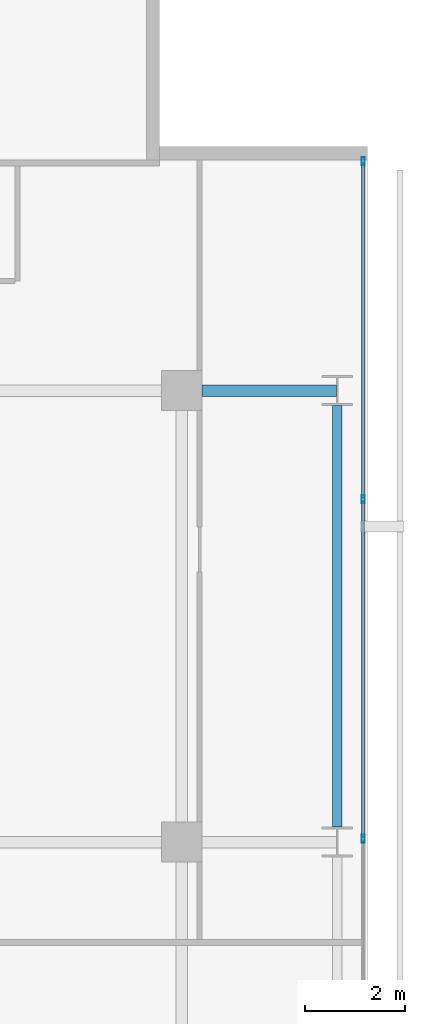
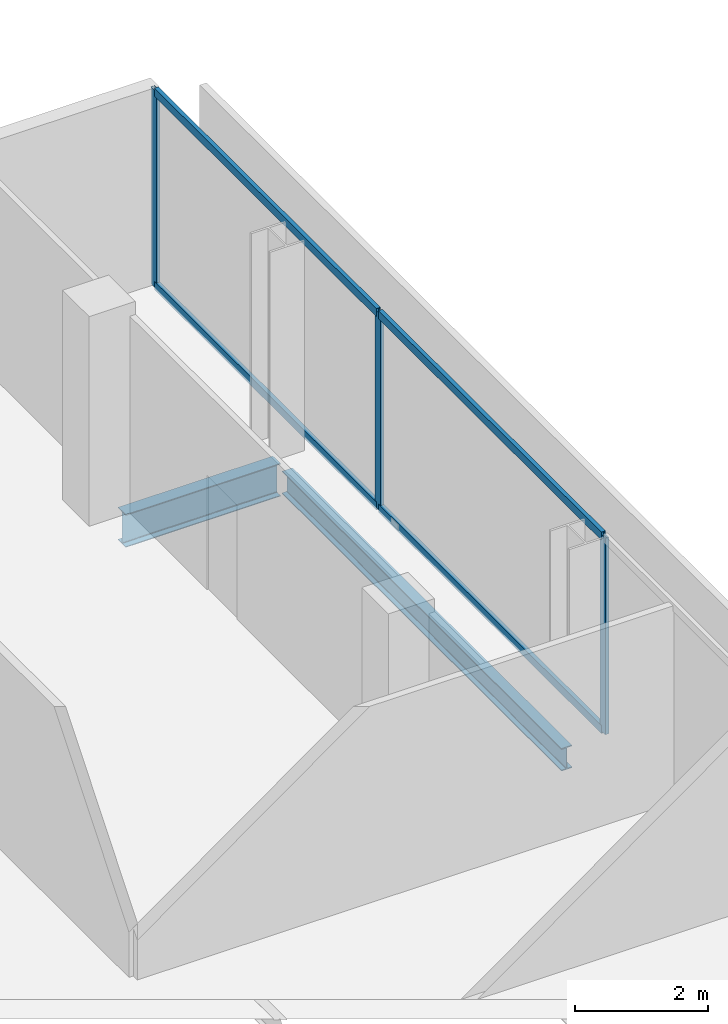
# One storey, part 24 of 32: 7 members, 2 beams, 1 element without a shape of its own.
"""IFC4 building model written with IfcOpenShell, lengths in metres."""

from ifc_helpers import new_model, si_unit, direction, frame, origin, origin_2d, place, context, subcontext, project, spatial, hollow_rectangle, i_section, extrude, material, layer, layer_set, material_profile, profile_set, type_object, element, aggregate, save


model = new_model("IFC4")

# Units and contexts
model_context = context("Model", 3, precision=1e-05, world=origin(), true_north=direction((0.0, 1.0)))
body_context = subcontext(model_context, "Body", "Model", "MODEL_VIEW")
ifc_project = project(units=[si_unit("LENGTHUNIT", "METRE"), si_unit("AREAUNIT", "SQUARE_METRE"), si_unit("VOLUMEUNIT", "CUBIC_METRE"), si_unit("PLANEANGLEUNIT", "RADIAN"), si_unit("MASSUNIT", "GRAM", prefix="KILO")], contexts=[model_context])

# Site, building, storey
site_placement = place(None, origin())
site = spatial("IfcSite", under=ifc_project, at=site_placement, CompositionType="ELEMENT")
building_placement = place(site_placement, origin())
building = spatial("IfcBuilding", under=site, at=building_placement, Name="Maruvema Waterfront Hotel and Observation Tower", CompositionType="ELEMENT")
storey_placement = place(building_placement, frame((0.0, 0.0, 162.050048828125)))
storey = spatial("IfcBuildingStorey", under=building, at=storey_placement, Name="L39", CompositionType="ELEMENT", Elevation=162.050048828125)

# Curtain wall, members
ifc_material_1 = material(Name="Anodised bronze aluminium and solar-control low-E IGU", Category="aluminium")
ifc_layer = layer(ifc_material_1, 0.159912109375, Name="Zone 2 Amber Inner Thermal Curtain Wall System CW-03")
ifc_layer_set = layer_set([ifc_layer], Name="Anodised bronze aluminium and solar-control low-E IGU")
curtain_wall_type = type_object("IfcCurtainWallType", Name="Zone 2 Amber Inner Thermal Curtain Wall System CW-03", PredefinedType="USERDEFINED", material=ifc_layer_set)
curtain_wall_placement = place(storey_placement, origin())
curtain_wall = element("IfcCurtainWall", 1, at=curtain_wall_placement, inside=storey, type_object=curtain_wall_type, Name="L39 Curtain Wall CW-L39-E", ObjectType="UNITISED CURTAIN WALL", PredefinedType="USERDEFINED")
ifc_material_2 = material(Name="Anodised architectural bronze aluminium", Category="aluminium")
ifc_material_profile_1 = material_profile(ifc_material_2, hollow_rectangle(XDim=0.070068359375, YDim=0.14990234375, WallThickness=0.00390625, at=origin_2d()), Name="ALU-T70x150")
ifc_profile_set_1 = profile_set([ifc_material_profile_1], Name="Anodised architectural bronze aluminium")
member_type_1 = type_object("IfcMemberType", Name="Curtain Wall Horizontal Transom ALU-T70x150", PredefinedType="USERDEFINED", material=ifc_profile_set_1)
member_1_placement = place(storey_placement, frame((62.419921875, 36.0966796875, 0.030029296875), z_axis=(0.0, 1.0, 0.0), x_axis=(-1.0, 0.0, 0.0)))
member_1 = element("IfcMember", 2, at=member_1_placement, type_object=member_type_1, Name="CW-03 transom 5.1", ObjectType="TRANSOM", PredefinedType="USERDEFINED", context=body_context, shape_type="SweptSolid", body=[
    extrude(hollow_rectangle(XDim=0.070068359375, YDim=0.14990234375, WallThickness=0.00390625, at=origin_2d()), origin(), (0.0, 0.0, 1.0), 6.70654296875),
])
member_2_placement = place(storey_placement, frame((62.419921875, 36.0966796875, 3.579833984375), z_axis=(0.0, 1.0, 0.0), x_axis=(-1.0, 0.0, 0.0)))
member_2 = element("IfcMember", 3, at=member_2_placement, type_object=member_type_1, Name="CW-03 transom 5.2", ObjectType="TRANSOM", PredefinedType="USERDEFINED", context=body_context, shape_type="SweptSolid", body=[
    extrude(hollow_rectangle(XDim=0.070068359375, YDim=0.14990234375, WallThickness=0.00390625, at=origin_2d()), origin(), (0.0, 0.0, 1.0), 6.70654296875),
])
member_3_placement = place(storey_placement, frame((62.419921875, 42.86328125, 0.030029296875), z_axis=(0.0, 1.0, 0.0), x_axis=(-1.0, 0.0, 0.0)))
member_3 = element("IfcMember", 4, at=member_3_placement, type_object=member_type_1, Name="CW-03 transom 6.1", ObjectType="TRANSOM", PredefinedType="USERDEFINED", context=body_context, shape_type="SweptSolid", body=[
    extrude(hollow_rectangle(XDim=0.070068359375, YDim=0.14990234375, WallThickness=0.00390625, at=origin_2d()), origin(), (0.0, 0.0, 1.0), 6.6767578125),
])
member_4_placement = place(storey_placement, frame((62.419921875, 42.86328125, 3.579833984375), z_axis=(0.0, 1.0, 0.0), x_axis=(-1.0, 0.0, 0.0)))
member_4 = element("IfcMember", 5, at=member_4_placement, type_object=member_type_1, Name="CW-03 transom 6.2", ObjectType="TRANSOM", PredefinedType="USERDEFINED", context=body_context, shape_type="SweptSolid", body=[
    extrude(hollow_rectangle(XDim=0.070068359375, YDim=0.14990234375, WallThickness=0.00390625, at=origin_2d()), origin(), (0.0, 0.0, 1.0), 6.6767578125),
])
ifc_material_3 = material(Name="Anodised architectural bronze aluminium", Category="aluminium")
ifc_material_profile_2 = material_profile(ifc_material_3, hollow_rectangle(XDim=0.06494140625, YDim=0.1650390625, WallThickness=0.00390625, at=origin_2d()), Name="ALU-M65x165")
ifc_profile_set_2 = profile_set([ifc_material_profile_2], Name="Anodised architectural bronze aluminium")
member_type_2 = type_object("IfcMemberType", Name="Curtain Wall Primary Mullion ALU-M65x165", PredefinedType="MULLION", material=ifc_profile_set_2)
member_5_placement = place(storey_placement, frame((62.419921875, 36.066650390625, 0.0), z_axis=(0.0, 0.0, 1.0), x_axis=(-1.0, 0.0, 0.0)))
member_5 = element("IfcMember", 6, at=member_5_placement, type_object=member_type_2, Name="CW-03 mullion 5", PredefinedType="MULLION", context=body_context, shape_type="SweptSolid", body=[
    extrude(hollow_rectangle(XDim=0.06494140625, YDim=0.1650390625, WallThickness=0.00390625, at=origin_2d()), origin(), (0.0, 0.0, 1.0), 3.60986328125),
])
member_6_placement = place(storey_placement, frame((62.419921875, 42.833251953125, 0.0), z_axis=(0.0, 0.0, 1.0), x_axis=(-1.0, 0.0, 0.0)))
member_6 = element("IfcMember", 7, at=member_6_placement, type_object=member_type_2, Name="CW-03 mullion 6", PredefinedType="MULLION", context=body_context, shape_type="SweptSolid", body=[
    extrude(hollow_rectangle(XDim=0.06494140625, YDim=0.1650390625, WallThickness=0.00390625, at=origin_2d()), origin(), (0.0, 0.0, 1.0), 3.60986328125),
])
member_7_placement = place(storey_placement, frame((62.419921875, 49.570068359375, 0.0), z_axis=(0.0, 0.0, 1.0), x_axis=(-1.0, 0.0, 0.0)))
member_7 = element("IfcMember", 8, at=member_7_placement, type_object=member_type_2, Name="CW-03 mullion 7", PredefinedType="MULLION", context=body_context, shape_type="SweptSolid", body=[
    extrude(hollow_rectangle(XDim=0.06494140625, YDim=0.1650390625, WallThickness=0.00390625, at=origin_2d()), origin(), (0.0, 0.0, 1.0), 3.60986328125),
])
aggregate(curtain_wall, [member_5, member_6, member_7, member_1, member_2, member_3, member_4])

# Beams
ifc_material_4 = material(Name="Steel ASTM A572 Grade 50", Category="steel")
ifc_material_profile_3 = material_profile(ifc_material_4, i_section(OverallWidth=0.180908203125, OverallDepth=0.4169921875, WebThickness=0.010986328125, FlangeThickness=0.018310546875, FilletRadius=0.014892578125, at=origin_2d()), Name="W410x85.0")
ifc_profile_set_3 = profile_set([ifc_material_profile_3], Name="Steel ASTM A572 Grade 50")
beam_type_1 = type_object("IfcBeamType", Name="Perimeter Spandrel Beam W410x85.0", PredefinedType="SPANDREL", material=ifc_profile_set_3)
beam_1_placement = place(storey_placement, frame((61.89990234375, 36.300048828125, -0.448486328125), z_axis=(0.0, 1.0, 0.0), x_axis=(-1.0, 0.0, 0.0)))
element("IfcBeam", 9, at=beam_1_placement, inside=storey, type_object=beam_type_1, Name="L39 Floor Girder NS-32", PredefinedType="SPANDREL", context=body_context, shape_type="SweptSolid", body=[
    extrude(i_section(OverallWidth=0.180908203125, OverallDepth=0.4169921875, WebThickness=0.010986328125, FlangeThickness=0.018310546875, FilletRadius=0.014892578125, at=origin_2d()), origin(), (0.0, 0.0, 1.0), 8.39990234375),
])
ifc_material_5 = material(Name="Steel ASTM A572 Grade 50", Category="steel")
ifc_material_profile_4 = material_profile(ifc_material_5, i_section(OverallWidth=0.22802734375, OverallDepth=0.60302734375, WebThickness=0.010498046875, FlangeThickness=0.014892578125, FilletRadius=0.01806640625, at=origin_2d()), Name="W610x101.0")
ifc_profile_set_4 = profile_set([ifc_material_profile_4], Name="Steel ASTM A572 Grade 50")
beam_type_2 = type_object("IfcBeamType", Name="Primary Floor Girder W610x101.0", PredefinedType="BEAM", material=ifc_profile_set_4)
beam_2_placement = place(storey_placement, frame((59.199951171875, 45.0, -0.54150390625), z_axis=(1.0, 0.0, 0.0), x_axis=(0.0, 1.0, 0.0)))
element("IfcBeam", 10, at=beam_2_placement, inside=storey, type_object=beam_type_2, Name="L39 Floor Girder EW-33", PredefinedType="BEAM", context=body_context, shape_type="SweptSolid", body=[
    extrude(i_section(OverallWidth=0.22802734375, OverallDepth=0.60302734375, WebThickness=0.010498046875, FlangeThickness=0.014892578125, FilletRadius=0.01806640625, at=origin_2d()), origin(), (0.0, 0.0, 1.0), 2.6875),
])

save(model, "model.ifc")
